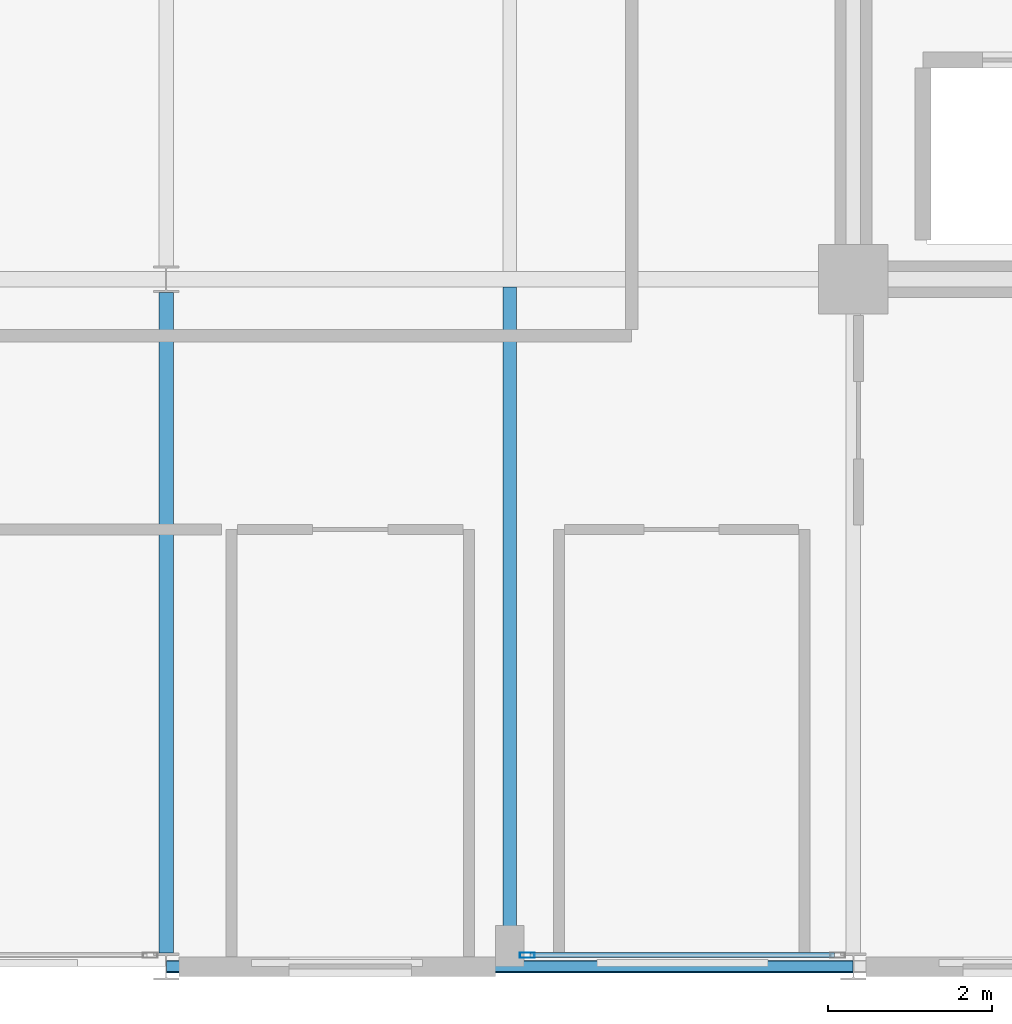
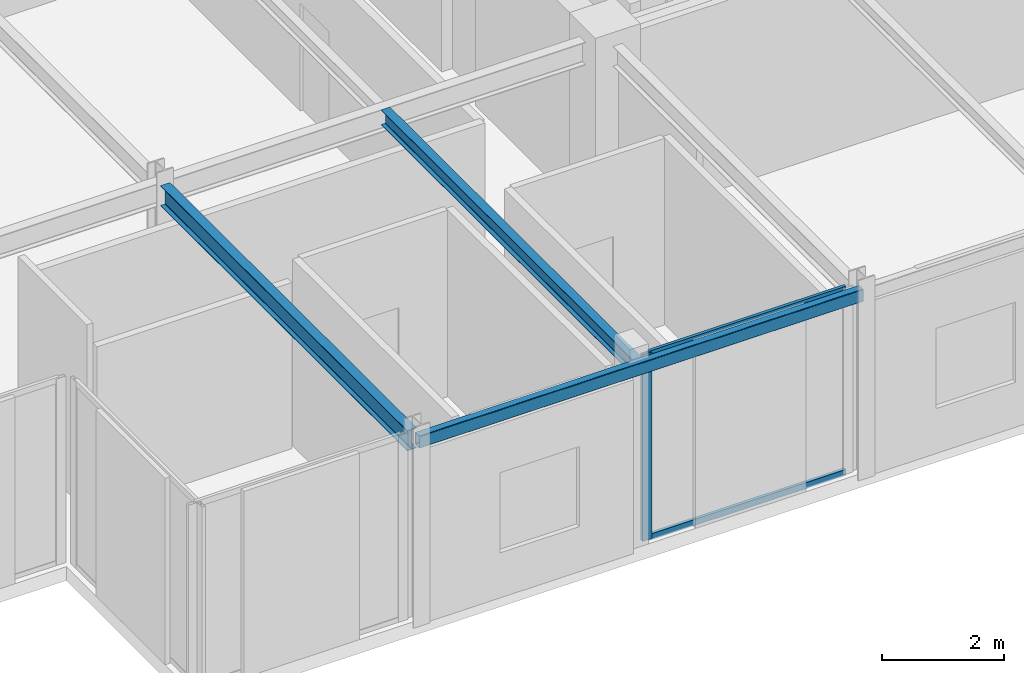
# One storey, part 4 of 26: 3 beams, 3 members, 1 element without a shape of its own.
"""IFC4 building model written with IfcOpenShell, lengths in metres."""

from ifc_helpers import new_model, si_unit, direction, frame, origin, origin_2d, place, context, subcontext, project, spatial, hollow_rectangle, i_section, extrude, material, layer, layer_set, material_profile, profile_set, type_object, element, aggregate, save


model = new_model("IFC4")

# Units and contexts
model_context = context("Model", 3, precision=1e-05, world=origin(), true_north=direction((0.0, 1.0)))
body_context = subcontext(model_context, "Body", "Model", "MODEL_VIEW")
ifc_project = project(units=[si_unit("LENGTHUNIT", "METRE"), si_unit("AREAUNIT", "SQUARE_METRE"), si_unit("VOLUMEUNIT", "CUBIC_METRE"), si_unit("PLANEANGLEUNIT", "RADIAN"), si_unit("MASSUNIT", "GRAM", prefix="KILO")], contexts=[model_context])

# Site, building, storey
site_placement = place(None, origin())
site = spatial("IfcSite", under=ifc_project, at=site_placement, CompositionType="ELEMENT")
building_placement = place(site_placement, origin())
building = spatial("IfcBuilding", under=site, at=building_placement, Name="Nerrivon Quay Data Exchange", CompositionType="ELEMENT")
storey_placement = place(building_placement, frame((0.0, 0.0, 250.199951171875)))
storey = spatial("IfcBuildingStorey", under=building, at=storey_placement, Name="L59", CompositionType="ELEMENT", Elevation=250.199951171875)

# Beams
ifc_material_1 = material(Name="Steel Grade 350", Category="steel")
ifc_material_profile_1 = material_profile(ifc_material_1, i_section(OverallWidth=0.177978515625, OverallDepth=0.406005859375, WebThickness=0.0078125, FlangeThickness=0.0126953125, FilletRadius=0.011474609375, at=origin_2d()), Name="410UB59.7")
ifc_profile_set_1 = profile_set([ifc_material_profile_1], Name="Steel Grade 350")
beam_type_1 = type_object("IfcBeamType", Name="BM-J1-410UB60", PredefinedType="JOIST", material=ifc_profile_set_1)
beam_1_placement = place(storey_placement, frame((8.39990234375, 0.16357421875, 3.52197265625), z_axis=(0.0, 1.0, 0.0), x_axis=(-1.0, 0.0, 0.0)))
element("IfcBeam", 1, at=beam_1_placement, inside=storey, type_object=beam_type_1, Name="L59 NS Girder X=8.4 (0.0..8.4)", PredefinedType="JOIST", context=body_context, shape_type="SweptSolid", body=[
    extrude(i_section(OverallWidth=0.177978515625, OverallDepth=0.406005859375, WebThickness=0.0078125, FlangeThickness=0.0126953125, FilletRadius=0.011474609375, at=origin_2d()), origin(), (0.0, 0.0, 1.0), 8.072998046875),
])
ifc_material_profile_2 = material_profile(ifc_material_1, i_section(OverallWidth=0.1650390625, OverallDepth=0.303955078125, WebThickness=0.006103515625, FlangeThickness=0.01025390625, FilletRadius=0.011474609375, at=origin_2d()), Name="310UB40.4")
ifc_profile_set_2 = profile_set([ifc_material_profile_2], Name="Steel Grade 350")
beam_type_2 = type_object("IfcBeamType", Name="BM-J6-310UB40", PredefinedType="JOIST", material=ifc_profile_set_2)
beam_2_placement = place(storey_placement, frame((12.60009765625, 0.074951171875, 3.572998046875), z_axis=(0.0, 1.0, 0.0), x_axis=(-1.0, 0.0, 0.0)))
element("IfcBeam", 2, at=beam_2_placement, inside=storey, type_object=beam_type_2, Name="L59 Secondary Joist X=12.6 (0.0..8.4)", PredefinedType="JOIST", context=body_context, shape_type="SweptSolid", body=[
    extrude(i_section(OverallWidth=0.1650390625, OverallDepth=0.303955078125, WebThickness=0.006103515625, FlangeThickness=0.01025390625, FilletRadius=0.011474609375, at=origin_2d()), origin(), (0.0, 0.0, 1.0), 8.22998046875),
])
ifc_material_2 = material(Name="Steel Grade C350L0 (350 MPa)", Category="steel")
ifc_material_profile_3 = material_profile(ifc_material_2, hollow_rectangle(XDim=0.14990234375, YDim=0.25, WallThickness=0.009033203125, InnerFilletRadius=0.013427734375, OuterFilletRadius=0.0224609375, at=origin_2d()), Name="250x150x9.0RHS")
ifc_profile_set_3 = profile_set([ifc_material_profile_3], Name="Steel Grade C350L0 (350 MPa)")
beam_type_3 = type_object("IfcBeamType", Name="BM-SP4-250x150RHS", PredefinedType="SPANDREL", material=ifc_profile_set_3)
beam_3_placement = place(storey_placement, frame((8.40771484375, 0.0, 3.60009765625), z_axis=(1.0, 0.0, 0.0), x_axis=(0.0, 1.0, 0.0)))
element("IfcBeam", 3, at=beam_3_placement, inside=storey, type_object=beam_type_3, Name="L59 EW Girder Y=0.0 (8.4..16.8)", PredefinedType="SPANDREL", context=body_context, shape_type="SweptSolid", body=[
    extrude(hollow_rectangle(XDim=0.14990234375, YDim=0.25, WallThickness=0.009033203125, InnerFilletRadius=0.013427734375, OuterFilletRadius=0.0224609375, at=origin_2d()), origin(), (0.0, 0.0, 1.0), 8.38427734375),
])

# Curtain wall, members
ifc_material_3 = material(Name="Anodised aluminium 6063-T6", Category="aluminium")
ifc_layer = layer(ifc_material_3, 0.195068359375)
ifc_layer_set = layer_set([ifc_layer], Name="Anodised aluminium 6063-T6")
curtain_wall_type = type_object("IfcCurtainWallType", Name="CW-SYS-06", PredefinedType="NOTDEFINED", material=ifc_layer_set)
curtain_wall_placement = place(storey_placement, origin())
curtain_wall = element("IfcCurtainWall", 4, at=curtain_wall_placement, inside=storey, type_object=curtain_wall_type, Name="L59 Unitised Curtain Wall 6", PredefinedType="NOTDEFINED")
ifc_material_profile_4 = material_profile(ifc_material_3, hollow_rectangle(XDim=0.06494140625, YDim=0.179931640625, WallThickness=0.00341796875, at=origin_2d()), Name="ALU-MULL-180x65")
ifc_profile_set_4 = profile_set([ifc_material_profile_4], Name="Anodised aluminium 6063-T6")
member_type_1 = type_object("IfcMemberType", Name="CWM-180x65", PredefinedType="MULLION", material=ifc_profile_set_4)
member_1_placement = place(storey_placement, frame((12.8125, 0.139892578125, 0.0), z_axis=(0.0, 0.0, 1.0), x_axis=(0.0, -1.0, 0.0)))
member_1 = element("IfcMember", 5, at=member_1_placement, type_object=member_type_1, Name="CW06 mullion 2", PredefinedType="MULLION", context=body_context, shape_type="SweptSolid", body=[
    extrude(hollow_rectangle(XDim=0.06494140625, YDim=0.179931640625, WallThickness=0.00341796875, at=origin_2d()), origin(), (0.0, 0.0, 1.0), 3.72509765625),
])
ifc_material_profile_5 = material_profile(ifc_material_3, hollow_rectangle(XDim=0.06005859375, YDim=0.1201171875, WallThickness=0.003173828125, at=origin_2d()), Name="ALU-TRAN-120x60")
ifc_profile_set_5 = profile_set([ifc_material_profile_5], Name="Anodised aluminium 6063-T6")
member_type_2 = type_object("IfcMemberType", Name="CWT-120x60", PredefinedType="USERDEFINED", material=ifc_profile_set_5)
member_2_placement = place(storey_placement, frame((16.569580078125, 0.139892578125, 0.032470703125), z_axis=(-1.0, 0.0, 0.0), x_axis=(0.0, -1.0, 0.0)))
member_2 = element("IfcMember", 6, at=member_2_placement, type_object=member_type_2, Name="CW06 transom 1.1", ObjectType="TRANSOM", PredefinedType="USERDEFINED", context=body_context, shape_type="SweptSolid", body=[
    extrude(hollow_rectangle(XDim=0.06005859375, YDim=0.1201171875, WallThickness=0.003173828125, at=origin_2d()), origin(), (0.0, 0.0, 1.0), 3.719482421875),
])
member_3_placement = place(storey_placement, frame((16.569580078125, 0.139892578125, 3.692626953125), z_axis=(-1.0, 0.0, 0.0), x_axis=(0.0, -1.0, 0.0)))
member_3 = element("IfcMember", 7, at=member_3_placement, type_object=member_type_2, Name="CW06 transom 1.2", ObjectType="TRANSOM", PredefinedType="USERDEFINED", context=body_context, shape_type="SweptSolid", body=[
    extrude(hollow_rectangle(XDim=0.06005859375, YDim=0.1201171875, WallThickness=0.003173828125, at=origin_2d()), origin(), (0.0, 0.0, 1.0), 3.719482421875),
])
aggregate(curtain_wall, [member_1, member_2, member_3])

save(model, "model.ifc")
